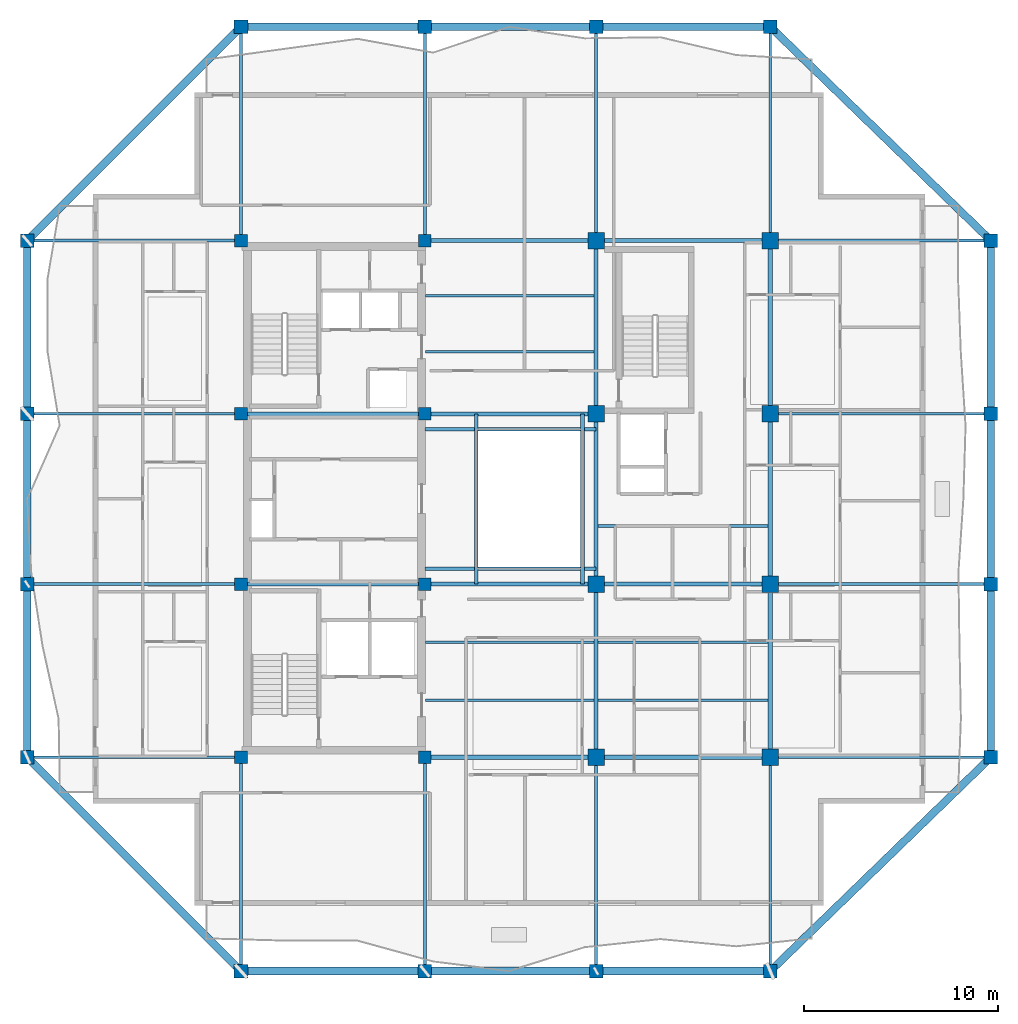
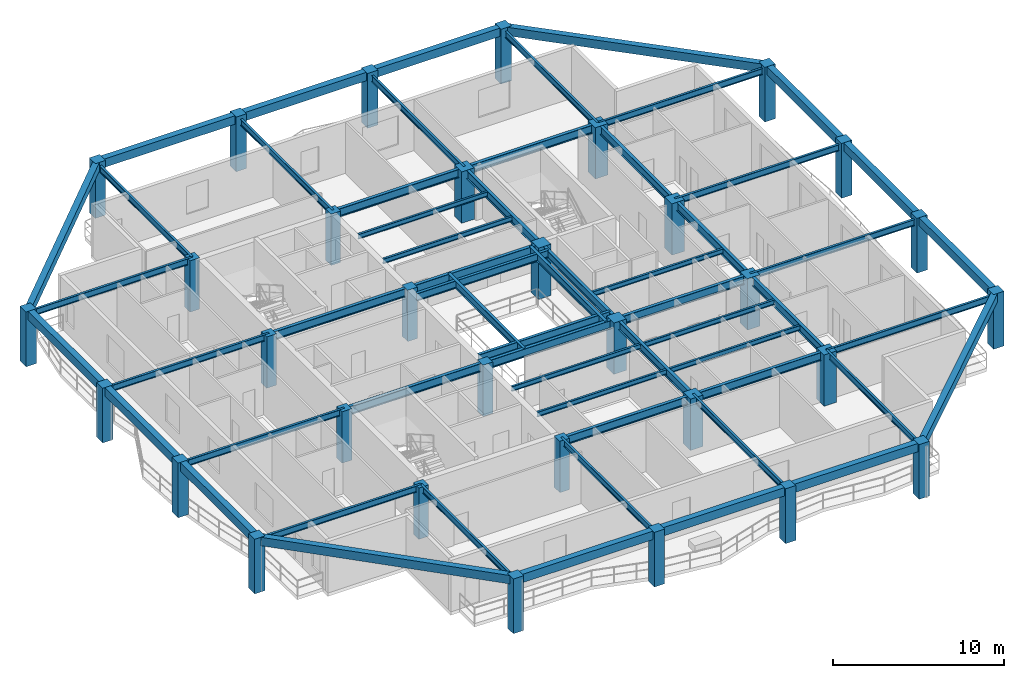
# One storey, part 1 of 13: 58 beams, 32 columns.
"""IFC4 building model written with IfcOpenShell, lengths in metres."""

from ifc_helpers import new_model, si_unit, direction, frame, origin, origin_2d, place, context, subcontext, project, spatial, rectangle, i_section, extrude, material, material_profile, profile_set, type_object, element, save


model = new_model("IFC4")

# Units and contexts
model_context = context("Model", 3, precision=1e-05, world=origin(), true_north=direction((0.0, 1.0)))
body_context = subcontext(model_context, "Body", "Model", "MODEL_VIEW")
ifc_project = project(units=[si_unit("LENGTHUNIT", "METRE"), si_unit("AREAUNIT", "SQUARE_METRE"), si_unit("VOLUMEUNIT", "CUBIC_METRE"), si_unit("PLANEANGLEUNIT", "RADIAN"), si_unit("MASSUNIT", "GRAM", prefix="KILO")], contexts=[model_context])

# Site, building, storey
site_placement = place(None, origin())
site = spatial("IfcSite", under=ifc_project, at=site_placement, CompositionType="ELEMENT")
building_placement = place(site_placement, origin())
building = spatial("IfcBuilding", under=site, at=building_placement, Name="Kundavana Baori Tower", CompositionType="ELEMENT")
storey_placement = place(building_placement, frame((0.0, 0.0, 225.800048828125)))
storey = spatial("IfcBuildingStorey", under=building, at=storey_placement, Name="L55", CompositionType="ELEMENT", Elevation=225.800048828125)

# Columns
ifc_material_1 = material(Name="Concrete C50/60", Category="concrete")
ifc_material_profile_1 = material_profile(ifc_material_1, rectangle(XDim=0.699951171875, YDim=0.699951171875, at=origin_2d()), Name="RC PF 700x700")
ifc_profile_set_1 = profile_set([ifc_material_profile_1], Name="Concrete C50/60")
column_type_1 = type_object("IfcColumnType", Name="COL-PF-700", PredefinedType="COLUMN", material=ifc_profile_set_1)
for number, where, z_axis, x_axis, name in (
    (1, (15.449951171875, 4.199951171875, 0.0), (0.0, 0.0, 1.0), (1.0, 0.0, 0.0), "L55 Stone-Clad Perimeter Frame Column PF-S1"),
    (2, (15.449951171875, 53.0, 0.0), (0.0, 0.0, 1.0), (1.0, 0.0, 0.0), "L55 Stone-Clad Perimeter Frame Column PF-N1"),
    (3, (24.949951171875, 4.199951171875, 0.0), (0.0, 0.0, 1.0), (1.0, 0.0, 0.0), "L55 Stone-Clad Perimeter Frame Column PF-S2"),
    (4, (24.949951171875, 53.0, 0.0), (0.0, 0.0, 1.0), (1.0, 0.0, 0.0), "L55 Stone-Clad Perimeter Frame Column PF-N2"),
    (5, (33.800048828125, 4.199951171875, 0.0), (0.0, 0.0, 1.0), (1.0, 0.0, 0.0), "L55 Stone-Clad Perimeter Frame Column PF-S3"),
    (6, (33.800048828125, 53.0, 0.0), (0.0, 0.0, 1.0), (1.0, 0.0, 0.0), "L55 Stone-Clad Perimeter Frame Column PF-N3"),
    (7, (42.800048828125, 4.199951171875, 0.0), (0.0, 0.0, 1.0), (1.0, 0.0, 0.0), "L55 Stone-Clad Perimeter Frame Column PF-S4"),
    (8, (42.800048828125, 53.0, 0.0), (0.0, 0.0, 1.0), (1.0, 0.0, 0.0), "L55 Stone-Clad Perimeter Frame Column PF-N4"),
    (9, (4.39990234375, 15.25, 0.0), (0.0, 0.0, 1.0), (1.0, 0.0, 0.0), "L55 Stone-Clad Perimeter Frame Column PF-W1"),
    (10, (54.199951171875, 15.25, 0.0), (0.0, 0.0, 1.0), (1.0, 0.0, 0.0), "L55 Stone-Clad Perimeter Frame Column PF-E1"),
    (11, (4.39990234375, 24.199951171875, 0.0), (0.0, 0.0, 1.0), (1.0, 0.0, 0.0), "L55 Stone-Clad Perimeter Frame Column PF-W2"),
    (12, (54.199951171875, 24.199951171875, 0.0), (0.0, 0.0, 1.0), (1.0, 0.0, 0.0), "L55 Stone-Clad Perimeter Frame Column PF-E2"),
    (13, (4.39990234375, 33.0, 0.0), (0.0, 0.0, 1.0), (1.0, 0.0, 0.0), "L55 Stone-Clad Perimeter Frame Column PF-W3"),
    (14, (54.199951171875, 33.0, 0.0), (0.0, 0.0, 1.0), (1.0, 0.0, 0.0), "L55 Stone-Clad Perimeter Frame Column PF-E3"),
    (15, (4.39990234375, 41.949951171875, 0.0), (0.0, 0.0, 1.0), (1.0, 0.0, 0.0), "L55 Stone-Clad Perimeter Frame Column PF-W4"),
    (16, (54.199951171875, 41.949951171875, 0.0), (0.0, 0.0, 1.0), (1.0, 0.0, 0.0), "L55 Stone-Clad Perimeter Frame Column PF-E4"),
):
    element("IfcColumn", number, at=place(storey_placement, frame(where, z_axis=z_axis, x_axis=x_axis)), inside=storey, type_object=column_type_1, Name=name, PredefinedType="COLUMN", context=body_context, shape_type="SweptSolid", body=[
        extrude(rectangle(XDim=0.699951171875, YDim=0.699951171875, at=origin_2d()), origin(), (0.0, 0.0, 1.0), 3.89990234375),
    ])
ifc_material_2 = material(Name="Concrete C50/60", Category="concrete")
ifc_material_profile_2 = material_profile(ifc_material_2, rectangle(XDim=0.64990234375, YDim=0.64990234375, at=origin_2d()), Name="RC 650x650")
ifc_profile_set_2 = profile_set([ifc_material_profile_2], Name="Concrete C50/60")
column_type_2 = type_object("IfcColumnType", Name="COL-RC-650", PredefinedType="COLUMN", material=ifc_profile_set_2)
for number, where, z_axis, x_axis, name in (
    (17, (15.449951171875, 15.25, 0.0), (0.0, 0.0, 1.0), (1.0, 0.0, 0.0), "L55 Interior Column IC-3C"),
    (18, (15.449951171875, 24.199951171875, 0.0), (0.0, 0.0, 1.0), (1.0, 0.0, 0.0), "L55 Interior Column IC-3D"),
    (19, (15.449951171875, 33.0, 0.0), (0.0, 0.0, 1.0), (1.0, 0.0, 0.0), "L55 Interior Column IC-3E"),
    (20, (15.449951171875, 41.949951171875, 0.0), (0.0, 0.0, 1.0), (1.0, 0.0, 0.0), "L55 Interior Column IC-3F"),
    (21, (24.949951171875, 15.25, 0.0), (0.0, 0.0, 1.0), (1.0, 0.0, 0.0), "L55 Interior Column IC-4C"),
    (22, (24.949951171875, 24.199951171875, 0.0), (0.0, 0.0, 1.0), (1.0, 0.0, 0.0), "L55 Interior Column IC-4D"),
    (23, (24.949951171875, 33.0, 0.0), (0.0, 0.0, 1.0), (1.0, 0.0, 0.0), "L55 Interior Column IC-4E"),
    (24, (24.949951171875, 41.949951171875, 0.0), (0.0, 0.0, 1.0), (1.0, 0.0, 0.0), "L55 Interior Column IC-4F"),
):
    element("IfcColumn", number, at=place(storey_placement, frame(where, z_axis=z_axis, x_axis=x_axis)), inside=storey, type_object=column_type_2, Name=name, PredefinedType="COLUMN", context=body_context, shape_type="SweptSolid", body=[
        extrude(rectangle(XDim=0.64990234375, YDim=0.64990234375, at=origin_2d()), origin(), (0.0, 0.0, 1.0), 3.659912109375),
    ])
ifc_material_3 = material(Name="Concrete C50/60", Category="concrete")
ifc_material_profile_3 = material_profile(ifc_material_3, rectangle(XDim=0.85009765625, YDim=0.85009765625, at=origin_2d()), Name="RC 850x850")
ifc_profile_set_3 = profile_set([ifc_material_profile_3], Name="Concrete C50/60")
column_type_3 = type_object("IfcColumnType", Name="COL-RC-850", PredefinedType="COLUMN", material=ifc_profile_set_3)
for number, where, z_axis, x_axis, name in (
    (25, (33.800048828125, 15.25, 0.0), (0.0, 0.0, 1.0), (1.0, 0.0, 0.0), "L55 Interior Column IC-5C"),
    (26, (33.800048828125, 24.199951171875, 0.0), (0.0, 0.0, 1.0), (1.0, 0.0, 0.0), "L55 Interior Column IC-5D"),
    (27, (33.800048828125, 33.0, 0.0), (0.0, 0.0, 1.0), (1.0, 0.0, 0.0), "L55 Interior Column IC-5E"),
    (28, (33.800048828125, 41.949951171875, 0.0), (0.0, 0.0, 1.0), (1.0, 0.0, 0.0), "L55 Interior Column IC-5F"),
    (29, (42.800048828125, 15.25, 0.0), (0.0, 0.0, 1.0), (1.0, 0.0, 0.0), "L55 Interior Column IC-6C"),
    (30, (42.800048828125, 24.199951171875, 0.0), (0.0, 0.0, 1.0), (1.0, 0.0, 0.0), "L55 Interior Column IC-6D"),
    (31, (42.800048828125, 33.0, 0.0), (0.0, 0.0, 1.0), (1.0, 0.0, 0.0), "L55 Interior Column IC-6E"),
    (32, (42.800048828125, 41.949951171875, 0.0), (0.0, 0.0, 1.0), (1.0, 0.0, 0.0), "L55 Interior Column IC-6F"),
):
    element("IfcColumn", number, at=place(storey_placement, frame(where, z_axis=z_axis, x_axis=x_axis)), inside=storey, type_object=column_type_3, Name=name, PredefinedType="COLUMN", context=body_context, shape_type="SweptSolid", body=[
        extrude(rectangle(XDim=0.85009765625, YDim=0.85009765625, at=origin_2d()), origin(), (0.0, 0.0, 1.0), 3.659912109375),
    ])

# Beams
ifc_material_4 = material(Name="Structural Steel S355JR", Category="steel")
ifc_material_profile_4 = material_profile(ifc_material_4, i_section(OverallWidth=0.139892578125, OverallDepth=0.35009765625, WebThickness=0.008056640625, FlangeThickness=0.01416015625, FilletRadius=0.013916015625, at=origin_2d()), Name="ISMB 350")
ifc_profile_set_4 = profile_set([ifc_material_profile_4], Name="Structural Steel S355JR")
beam_type_1 = type_object("IfcBeamType", Name="BM-JST-350", PredefinedType="JOIST", material=ifc_profile_set_4)
for number, where, z_axis, x_axis, name in (
    (33, (24.97998046875, 18.199951171875, 3.48486328125), (1.0, 0.0, 0.0), (0.0, 1.0, 0.0), "L55 Central Bay Composite Floor Joist C1"),
    (34, (24.97998046875, 21.199951171875, 3.48486328125), (1.0, 0.0, 0.0), (0.0, 1.0, 0.0), "L55 Central Bay Composite Floor Joist C2"),
    (35, (24.97998046875, 36.199951171875, 3.48486328125), (1.0, 0.0, 0.0), (0.0, 1.0, 0.0), "L55 Central Bay Composite Floor Joist C3"),
    (36, (24.97998046875, 39.10009765625, 3.48486328125), (1.0, 0.0, 0.0), (0.0, 1.0, 0.0), "L55 Central Bay Composite Floor Joist C4"),
):
    element("IfcBeam", number, at=place(storey_placement, frame(where, z_axis=z_axis, x_axis=x_axis)), inside=storey, type_object=beam_type_1, Name=name, PredefinedType="JOIST", context=body_context, shape_type="SweptSolid", body=[
        extrude(i_section(OverallWidth=0.139892578125, OverallDepth=0.35009765625, WebThickness=0.008056640625, FlangeThickness=0.01416015625, FilletRadius=0.013916015625, at=origin_2d()), origin(), (0.0, 0.0, 1.0), 8.715087890625),
    ])
for number, where, z_axis, x_axis, name in (
    (37, (33.905029296875, 18.199951171875, 3.48486328125), (1.0, 0.0, 0.0), (0.0, 1.0, 0.0), "L55 East Bay Composite Floor Joist E1"),
    (38, (33.905029296875, 21.199951171875, 3.48486328125), (1.0, 0.0, 0.0), (0.0, 1.0, 0.0), "L55 East Bay Composite Floor Joist E2"),
    (39, (33.905029296875, 27.199951171875, 3.48486328125), (1.0, 0.0, 0.0), (0.0, 1.0, 0.0), "L55 East Bay Composite Floor Joist E3"),
):
    element("IfcBeam", number, at=place(storey_placement, frame(where, z_axis=z_axis, x_axis=x_axis)), inside=storey, type_object=beam_type_1, Name=name, PredefinedType="JOIST", context=body_context, shape_type="SweptSolid", body=[
        extrude(i_section(OverallWidth=0.139892578125, OverallDepth=0.35009765625, WebThickness=0.008056640625, FlangeThickness=0.01416015625, FilletRadius=0.013916015625, at=origin_2d()), origin(), (0.0, 0.0, 1.0), 8.7900390625),
    ])
ifc_material_5 = material(Name="Concrete C50/60", Category="concrete")
ifc_material_profile_5 = material_profile(ifc_material_5, rectangle(XDim=0.39990234375, YDim=0.60009765625, at=origin_2d()), Name="RC BM 400x600")
ifc_profile_set_5 = profile_set([ifc_material_profile_5], Name="Concrete C50/60")
beam_type_2 = type_object("IfcBeamType", Name="BM-PF-600", PredefinedType="SPANDREL", material=ifc_profile_set_5)
beam_1_placement = place(storey_placement, frame((15.449951171875, 4.199951171875, 3.599853515625), z_axis=(1.0, 0.0, 0.0), x_axis=(0.0, 1.0, 0.0)))
element("IfcBeam", 40, at=beam_1_placement, inside=storey, type_object=beam_type_2, Name="L55 Perimeter Frame Ring Beam S1", PredefinedType="SPANDREL", context=body_context, shape_type="SweptSolid", body=[
    extrude(rectangle(XDim=0.39990234375, YDim=0.60009765625, at=origin_2d()), origin(), (0.0, 0.0, 1.0), 9.5),
])
beam_2_placement = place(storey_placement, frame((24.949951171875, 4.199951171875, 3.599853515625), z_axis=(1.0, 0.0, 0.0), x_axis=(0.0, 1.0, 0.0)))
element("IfcBeam", 41, at=beam_2_placement, inside=storey, type_object=beam_type_2, Name="L55 Perimeter Frame Ring Beam S2", PredefinedType="SPANDREL", context=body_context, shape_type="SweptSolid", body=[
    extrude(rectangle(XDim=0.39990234375, YDim=0.60009765625, at=origin_2d()), origin(), (0.0, 0.0, 1.0), 8.85009765625),
])
beam_3_placement = place(storey_placement, frame((33.800048828125, 4.199951171875, 3.599853515625), z_axis=(1.0, 0.0, 0.0), x_axis=(0.0, 1.0, 0.0)))
element("IfcBeam", 42, at=beam_3_placement, inside=storey, type_object=beam_type_2, Name="L55 Perimeter Frame Ring Beam S3", PredefinedType="SPANDREL", context=body_context, shape_type="SweptSolid", body=[
    extrude(rectangle(XDim=0.39990234375, YDim=0.60009765625, at=origin_2d()), origin(), (0.0, 0.0, 1.0), 9.0),
])
beam_4_placement = place(storey_placement, frame((15.449951171875, 53.0, 3.599853515625), z_axis=(1.0, 0.0, 0.0), x_axis=(0.0, 1.0, 0.0)))
element("IfcBeam", 43, at=beam_4_placement, inside=storey, type_object=beam_type_2, Name="L55 Perimeter Frame Ring Beam N1", PredefinedType="SPANDREL", context=body_context, shape_type="SweptSolid", body=[
    extrude(rectangle(XDim=0.39990234375, YDim=0.60009765625, at=origin_2d()), origin(), (0.0, 0.0, 1.0), 9.5),
])
beam_5_placement = place(storey_placement, frame((24.949951171875, 53.0, 3.599853515625), z_axis=(1.0, 0.0, 0.0), x_axis=(0.0, 1.0, 0.0)))
element("IfcBeam", 44, at=beam_5_placement, inside=storey, type_object=beam_type_2, Name="L55 Perimeter Frame Ring Beam N2", PredefinedType="SPANDREL", context=body_context, shape_type="SweptSolid", body=[
    extrude(rectangle(XDim=0.39990234375, YDim=0.60009765625, at=origin_2d()), origin(), (0.0, 0.0, 1.0), 8.85009765625),
])
beam_6_placement = place(storey_placement, frame((33.800048828125, 53.0, 3.599853515625), z_axis=(1.0, 0.0, 0.0), x_axis=(0.0, 1.0, 0.0)))
element("IfcBeam", 45, at=beam_6_placement, inside=storey, type_object=beam_type_2, Name="L55 Perimeter Frame Ring Beam N3", PredefinedType="SPANDREL", context=body_context, shape_type="SweptSolid", body=[
    extrude(rectangle(XDim=0.39990234375, YDim=0.60009765625, at=origin_2d()), origin(), (0.0, 0.0, 1.0), 9.0),
])
beam_7_placement = place(storey_placement, frame((4.39990234375, 15.25, 3.599853515625), z_axis=(0.0, 1.0, 0.0), x_axis=(-1.0, 0.0, 0.0)))
element("IfcBeam", 46, at=beam_7_placement, inside=storey, type_object=beam_type_2, Name="L55 Perimeter Frame Ring Beam W1", PredefinedType="SPANDREL", context=body_context, shape_type="SweptSolid", body=[
    extrude(rectangle(XDim=0.39990234375, YDim=0.60009765625, at=origin_2d()), origin(), (0.0, 0.0, 1.0), 8.949951171875),
])
beam_8_placement = place(storey_placement, frame((4.39990234375, 24.199951171875, 3.599853515625), z_axis=(0.0, 1.0, 0.0), x_axis=(-1.0, 0.0, 0.0)))
element("IfcBeam", 47, at=beam_8_placement, inside=storey, type_object=beam_type_2, Name="L55 Perimeter Frame Ring Beam W2", PredefinedType="SPANDREL", context=body_context, shape_type="SweptSolid", body=[
    extrude(rectangle(XDim=0.39990234375, YDim=0.60009765625, at=origin_2d()), origin(), (0.0, 0.0, 1.0), 8.800048828125),
])
for number, where, z_axis, x_axis, name in (
    (48, (4.39990234375, 33.0, 3.599853515625), (0.0, 1.0, 0.0), (-1.0, 0.0, 0.0), "L55 Perimeter Frame Ring Beam W3"),
    (49, (54.199951171875, 15.25, 3.599853515625), (0.0, 1.0, 0.0), (-1.0, 0.0, 0.0), "L55 Perimeter Frame Ring Beam E1"),
):
    element("IfcBeam", number, at=place(storey_placement, frame(where, z_axis=z_axis, x_axis=x_axis)), inside=storey, type_object=beam_type_2, Name=name, PredefinedType="SPANDREL", context=body_context, shape_type="SweptSolid", body=[
        extrude(rectangle(XDim=0.39990234375, YDim=0.60009765625, at=origin_2d()), origin(), (0.0, 0.0, 1.0), 8.949951171875),
    ])
beam_9_placement = place(storey_placement, frame((54.199951171875, 24.199951171875, 3.599853515625), z_axis=(0.0, 1.0, 0.0), x_axis=(-1.0, 0.0, 0.0)))
element("IfcBeam", 50, at=beam_9_placement, inside=storey, type_object=beam_type_2, Name="L55 Perimeter Frame Ring Beam E2", PredefinedType="SPANDREL", context=body_context, shape_type="SweptSolid", body=[
    extrude(rectangle(XDim=0.39990234375, YDim=0.60009765625, at=origin_2d()), origin(), (0.0, 0.0, 1.0), 8.800048828125),
])
beam_10_placement = place(storey_placement, frame((54.199951171875, 33.0, 3.599853515625), z_axis=(0.0, 1.0, 0.0), x_axis=(-1.0, 0.0, 0.0)))
element("IfcBeam", 51, at=beam_10_placement, inside=storey, type_object=beam_type_2, Name="L55 Perimeter Frame Ring Beam E3", PredefinedType="SPANDREL", context=body_context, shape_type="SweptSolid", body=[
    extrude(rectangle(XDim=0.39990234375, YDim=0.60009765625, at=origin_2d()), origin(), (0.0, 0.0, 1.0), 8.949951171875),
])
beam_11_placement = place(storey_placement, frame((15.449951171875, 4.199951171875, 3.599853515625), z_axis=(-0.707106781187, 0.707106781187, 0.0), x_axis=(-0.707106781187, -0.707106781187, 0.0)))
element("IfcBeam", 52, at=beam_11_placement, inside=storey, type_object=beam_type_2, Name="L55 Notched Corner Perimeter Beam SW", PredefinedType="SPANDREL", context=body_context, shape_type="SweptSolid", body=[
    extrude(rectangle(XDim=0.39990234375, YDim=0.60009765625, at=origin_2d()), origin(), (0.0, 0.0, 1.0), 15.627197265625),
])
beam_12_placement = place(storey_placement, frame((42.800048828125, 4.199951171875, 3.599853515625), z_axis=(0.718038944492, 0.696002926857, 0.0), x_axis=(-0.696002926857, 0.718038944492, 0.0)))
element("IfcBeam", 53, at=beam_12_placement, inside=storey, type_object=beam_type_2, Name="L55 Notched Corner Perimeter Beam SE", PredefinedType="SPANDREL", context=body_context, shape_type="SweptSolid", body=[
    extrude(rectangle(XDim=0.39990234375, YDim=0.60009765625, at=origin_2d()), origin(), (0.0, 0.0, 1.0), 15.87646484375),
])
beam_13_placement = place(storey_placement, frame((15.449951171875, 53.0, 3.599853515625), z_axis=(-0.707106781187, -0.707106781187, 0.0), x_axis=(0.707106781187, -0.707106781187, 0.0)))
element("IfcBeam", 54, at=beam_13_placement, inside=storey, type_object=beam_type_2, Name="L55 Notched Corner Perimeter Beam NW", PredefinedType="SPANDREL", context=body_context, shape_type="SweptSolid", body=[
    extrude(rectangle(XDim=0.39990234375, YDim=0.60009765625, at=origin_2d()), origin(), (0.0, 0.0, 1.0), 15.627197265625),
])
beam_14_placement = place(storey_placement, frame((42.800048828125, 53.0, 3.599853515625), z_axis=(0.718038944492, -0.696002926857, 0.0), x_axis=(0.696002926857, 0.718038944492, 0.0)))
element("IfcBeam", 55, at=beam_14_placement, inside=storey, type_object=beam_type_2, Name="L55 Notched Corner Perimeter Beam NE", PredefinedType="SPANDREL", context=body_context, shape_type="SweptSolid", body=[
    extrude(rectangle(XDim=0.39990234375, YDim=0.60009765625, at=origin_2d()), origin(), (0.0, 0.0, 1.0), 15.87646484375),
])
ifc_material_6 = material(Name="Structural Steel S355JR", Category="steel")
ifc_material_profile_6 = material_profile(ifc_material_6, i_section(OverallWidth=0.18994140625, OverallDepth=0.550048828125, WebThickness=0.01123046875, FlangeThickness=0.019287109375, FilletRadius=0.01806640625, at=origin_2d()), Name="ISMB 550")
ifc_profile_set_6 = profile_set([ifc_material_profile_6], Name="Structural Steel S355JR")
beam_type_3 = type_object("IfcBeamType", Name="BM-ST-550", PredefinedType="BEAM", material=ifc_profile_set_6)
for number, where, z_axis, x_axis, name in (
    (56, (27.60009765625, 24.199951171875, 3.385009765625), (0.0, 1.0, 0.0), (-1.0, 0.0, 0.0), "L55 Atrium West Edge Beam"),
    (57, (33.10009765625, 24.199951171875, 3.385009765625), (0.0, 1.0, 0.0), (-1.0, 0.0, 0.0), "L55 Atrium East Edge Beam"),
):
    element("IfcBeam", number, at=place(storey_placement, frame(where, z_axis=z_axis, x_axis=x_axis)), inside=storey, type_object=beam_type_3, Name=name, PredefinedType="BEAM", context=body_context, shape_type="SweptSolid", body=[
        extrude(i_section(OverallWidth=0.18994140625, OverallDepth=0.550048828125, WebThickness=0.01123046875, FlangeThickness=0.019287109375, FilletRadius=0.01806640625, at=origin_2d()), origin(), (0.0, 0.0, 1.0), 8.800048828125),
    ])
for number, where, z_axis, x_axis, name in (
    (58, (24.949951171875, 25.0, 3.385009765625), (1.0, 0.0, 0.0), (0.0, 1.0, 0.0), "L55 Atrium South Edge Beam"),
    (59, (24.949951171875, 32.199951171875, 3.385009765625), (1.0, 0.0, 0.0), (0.0, 1.0, 0.0), "L55 Atrium North Edge Beam"),
):
    element("IfcBeam", number, at=place(storey_placement, frame(where, z_axis=z_axis, x_axis=x_axis)), inside=storey, type_object=beam_type_3, Name=name, PredefinedType="BEAM", context=body_context, shape_type="SweptSolid", body=[
        extrude(i_section(OverallWidth=0.18994140625, OverallDepth=0.550048828125, WebThickness=0.01123046875, FlangeThickness=0.019287109375, FilletRadius=0.01806640625, at=origin_2d()), origin(), (0.0, 0.0, 1.0), 8.85009765625),
    ])
ifc_material_7 = material(Name="Structural Steel S355JR", Category="steel")
ifc_material_profile_7 = material_profile(ifc_material_7, i_section(OverallWidth=0.2099609375, OverallDepth=0.60009765625, WebThickness=0.011962890625, FlangeThickness=0.020751953125, FilletRadius=0.02001953125, at=origin_2d()), Name="ISMB 600")
ifc_profile_set_7 = profile_set([ifc_material_profile_7], Name="Structural Steel S355JR")
beam_type_4 = type_object("IfcBeamType", Name="BM-ST-600", PredefinedType="BEAM", material=ifc_profile_set_7)
beam_15_placement = place(storey_placement, frame((24.949951171875, 15.25, 3.35986328125), z_axis=(1.0, 0.0, 0.0), x_axis=(0.0, 1.0, 0.0)))
element("IfcBeam", 60, at=beam_15_placement, inside=storey, type_object=beam_type_4, Name="L55 Primary Grid Girder GX-1-2", PredefinedType="BEAM", context=body_context, shape_type="SweptSolid", body=[
    extrude(i_section(OverallWidth=0.2099609375, OverallDepth=0.60009765625, WebThickness=0.011962890625, FlangeThickness=0.020751953125, FilletRadius=0.02001953125, at=origin_2d()), origin(), (0.0, 0.0, 1.0), 8.85009765625),
])
beam_16_placement = place(storey_placement, frame((33.800048828125, 15.25, 3.35986328125), z_axis=(1.0, 0.0, 0.0), x_axis=(0.0, 1.0, 0.0)))
element("IfcBeam", 61, at=beam_16_placement, inside=storey, type_object=beam_type_4, Name="L55 Primary Grid Girder GX-1-3", PredefinedType="BEAM", context=body_context, shape_type="SweptSolid", body=[
    extrude(i_section(OverallWidth=0.2099609375, OverallDepth=0.60009765625, WebThickness=0.011962890625, FlangeThickness=0.020751953125, FilletRadius=0.02001953125, at=origin_2d()), origin(), (0.0, 0.0, 1.0), 9.0),
])
beam_17_placement = place(storey_placement, frame((15.449951171875, 24.199951171875, 3.35986328125), z_axis=(1.0, 0.0, 0.0), x_axis=(0.0, 1.0, 0.0)))
element("IfcBeam", 62, at=beam_17_placement, inside=storey, type_object=beam_type_4, Name="L55 Primary Grid Girder GX-2-1", PredefinedType="BEAM", context=body_context, shape_type="SweptSolid", body=[
    extrude(i_section(OverallWidth=0.2099609375, OverallDepth=0.60009765625, WebThickness=0.011962890625, FlangeThickness=0.020751953125, FilletRadius=0.02001953125, at=origin_2d()), origin(), (0.0, 0.0, 1.0), 9.5),
])
beam_18_placement = place(storey_placement, frame((24.949951171875, 24.199951171875, 3.35986328125), z_axis=(1.0, 0.0, 0.0), x_axis=(0.0, 1.0, 0.0)))
element("IfcBeam", 63, at=beam_18_placement, inside=storey, type_object=beam_type_4, Name="L55 Primary Grid Girder GX-2-2", PredefinedType="BEAM", context=body_context, shape_type="SweptSolid", body=[
    extrude(i_section(OverallWidth=0.2099609375, OverallDepth=0.60009765625, WebThickness=0.011962890625, FlangeThickness=0.020751953125, FilletRadius=0.02001953125, at=origin_2d()), origin(), (0.0, 0.0, 1.0), 8.85009765625),
])
beam_19_placement = place(storey_placement, frame((33.800048828125, 24.199951171875, 3.35986328125), z_axis=(1.0, 0.0, 0.0), x_axis=(0.0, 1.0, 0.0)))
element("IfcBeam", 64, at=beam_19_placement, inside=storey, type_object=beam_type_4, Name="L55 Primary Grid Girder GX-2-3", PredefinedType="BEAM", context=body_context, shape_type="SweptSolid", body=[
    extrude(i_section(OverallWidth=0.2099609375, OverallDepth=0.60009765625, WebThickness=0.011962890625, FlangeThickness=0.020751953125, FilletRadius=0.02001953125, at=origin_2d()), origin(), (0.0, 0.0, 1.0), 9.0),
])
beam_20_placement = place(storey_placement, frame((15.449951171875, 33.0, 3.35986328125), z_axis=(1.0, 0.0, 0.0), x_axis=(0.0, 1.0, 0.0)))
element("IfcBeam", 65, at=beam_20_placement, inside=storey, type_object=beam_type_4, Name="L55 Primary Grid Girder GX-3-1", PredefinedType="BEAM", context=body_context, shape_type="SweptSolid", body=[
    extrude(i_section(OverallWidth=0.2099609375, OverallDepth=0.60009765625, WebThickness=0.011962890625, FlangeThickness=0.020751953125, FilletRadius=0.02001953125, at=origin_2d()), origin(), (0.0, 0.0, 1.0), 9.5),
])
for number, where, z_axis, x_axis, name in (
    (66, (24.949951171875, 33.0, 3.35986328125), (1.0, 0.0, 0.0), (0.0, 1.0, 0.0), "L55 Primary Grid Girder GX-3-2"),
    (67, (24.949951171875, 41.949951171875, 3.35986328125), (1.0, 0.0, 0.0), (0.0, 1.0, 0.0), "L55 Primary Grid Girder GX-4-2"),
):
    element("IfcBeam", number, at=place(storey_placement, frame(where, z_axis=z_axis, x_axis=x_axis)), inside=storey, type_object=beam_type_4, Name=name, PredefinedType="BEAM", context=body_context, shape_type="SweptSolid", body=[
        extrude(i_section(OverallWidth=0.2099609375, OverallDepth=0.60009765625, WebThickness=0.011962890625, FlangeThickness=0.020751953125, FilletRadius=0.02001953125, at=origin_2d()), origin(), (0.0, 0.0, 1.0), 8.85009765625),
    ])
beam_21_placement = place(storey_placement, frame((33.800048828125, 41.949951171875, 3.35986328125), z_axis=(1.0, 0.0, 0.0), x_axis=(0.0, 1.0, 0.0)))
element("IfcBeam", 68, at=beam_21_placement, inside=storey, type_object=beam_type_4, Name="L55 Primary Grid Girder GX-4-3", PredefinedType="BEAM", context=body_context, shape_type="SweptSolid", body=[
    extrude(i_section(OverallWidth=0.2099609375, OverallDepth=0.60009765625, WebThickness=0.011962890625, FlangeThickness=0.020751953125, FilletRadius=0.02001953125, at=origin_2d()), origin(), (0.0, 0.0, 1.0), 9.0),
])
beam_22_placement = place(storey_placement, frame((33.800048828125, 15.25, 3.35986328125), z_axis=(0.0, 1.0, 0.0), x_axis=(-1.0, 0.0, 0.0)))
element("IfcBeam", 69, at=beam_22_placement, inside=storey, type_object=beam_type_4, Name="L55 Primary Grid Girder GY-3-1", PredefinedType="BEAM", context=body_context, shape_type="SweptSolid", body=[
    extrude(i_section(OverallWidth=0.2099609375, OverallDepth=0.60009765625, WebThickness=0.011962890625, FlangeThickness=0.020751953125, FilletRadius=0.02001953125, at=origin_2d()), origin(), (0.0, 0.0, 1.0), 8.949951171875),
])
beam_23_placement = place(storey_placement, frame((33.800048828125, 24.199951171875, 3.35986328125), z_axis=(0.0, 1.0, 0.0), x_axis=(-1.0, 0.0, 0.0)))
element("IfcBeam", 70, at=beam_23_placement, inside=storey, type_object=beam_type_4, Name="L55 Primary Grid Girder GY-3-2", PredefinedType="BEAM", context=body_context, shape_type="SweptSolid", body=[
    extrude(i_section(OverallWidth=0.2099609375, OverallDepth=0.60009765625, WebThickness=0.011962890625, FlangeThickness=0.020751953125, FilletRadius=0.02001953125, at=origin_2d()), origin(), (0.0, 0.0, 1.0), 8.800048828125),
])
for number, where, z_axis, x_axis, name in (
    (71, (33.800048828125, 33.0, 3.35986328125), (0.0, 1.0, 0.0), (-1.0, 0.0, 0.0), "L55 Primary Grid Girder GY-3-3"),
    (72, (42.800048828125, 15.25, 3.35986328125), (0.0, 1.0, 0.0), (-1.0, 0.0, 0.0), "L55 Primary Grid Girder GY-4-1"),
):
    element("IfcBeam", number, at=place(storey_placement, frame(where, z_axis=z_axis, x_axis=x_axis)), inside=storey, type_object=beam_type_4, Name=name, PredefinedType="BEAM", context=body_context, shape_type="SweptSolid", body=[
        extrude(i_section(OverallWidth=0.2099609375, OverallDepth=0.60009765625, WebThickness=0.011962890625, FlangeThickness=0.020751953125, FilletRadius=0.02001953125, at=origin_2d()), origin(), (0.0, 0.0, 1.0), 8.949951171875),
    ])
beam_24_placement = place(storey_placement, frame((42.800048828125, 24.199951171875, 3.35986328125), z_axis=(0.0, 1.0, 0.0), x_axis=(-1.0, 0.0, 0.0)))
element("IfcBeam", 73, at=beam_24_placement, inside=storey, type_object=beam_type_4, Name="L55 Primary Grid Girder GY-4-2", PredefinedType="BEAM", context=body_context, shape_type="SweptSolid", body=[
    extrude(i_section(OverallWidth=0.2099609375, OverallDepth=0.60009765625, WebThickness=0.011962890625, FlangeThickness=0.020751953125, FilletRadius=0.02001953125, at=origin_2d()), origin(), (0.0, 0.0, 1.0), 8.800048828125),
])
beam_25_placement = place(storey_placement, frame((42.800048828125, 33.0, 3.35986328125), z_axis=(0.0, 1.0, 0.0), x_axis=(-1.0, 0.0, 0.0)))
element("IfcBeam", 74, at=beam_25_placement, inside=storey, type_object=beam_type_4, Name="L55 Primary Grid Girder GY-4-3", PredefinedType="BEAM", context=body_context, shape_type="SweptSolid", body=[
    extrude(i_section(OverallWidth=0.2099609375, OverallDepth=0.60009765625, WebThickness=0.011962890625, FlangeThickness=0.020751953125, FilletRadius=0.02001953125, at=origin_2d()), origin(), (0.0, 0.0, 1.0), 8.949951171875),
])
ifc_material_8 = material(Name="Structural Steel S355JR", Category="steel")
ifc_material_profile_8 = material_profile(ifc_material_8, i_section(OverallWidth=0.14990234375, OverallDepth=0.449951171875, WebThickness=0.009521484375, FlangeThickness=0.017333984375, FilletRadius=0.014892578125, at=origin_2d()), Name="ISMB 450")
ifc_profile_set_8 = profile_set([ifc_material_profile_8], Name="Structural Steel S355JR")
beam_type_5 = type_object("IfcBeamType", Name="BM-TIE-450", PredefinedType="BEAM", material=ifc_profile_set_8)
for number, where, z_axis, x_axis, name in (
    (75, (15.449951171875, 15.25, 3.43505859375), (0.0, -1.0, 0.0), (1.0, 0.0, 0.0), "L55 South Radial Loggia Tie Beam S1"),
    (76, (15.449951171875, 41.949951171875, 3.43505859375), (0.0, 1.0, 0.0), (-1.0, 0.0, 0.0), "L55 North Radial Loggia Tie Beam N1"),
    (77, (24.949951171875, 15.25, 3.43505859375), (0.0, -1.0, 0.0), (1.0, 0.0, 0.0), "L55 South Radial Loggia Tie Beam S2"),
    (78, (24.949951171875, 41.949951171875, 3.43505859375), (0.0, 1.0, 0.0), (-1.0, 0.0, 0.0), "L55 North Radial Loggia Tie Beam N2"),
    (79, (33.800048828125, 15.25, 3.43505859375), (0.0, -1.0, 0.0), (1.0, 0.0, 0.0), "L55 South Radial Loggia Tie Beam S3"),
    (80, (33.800048828125, 41.949951171875, 3.43505859375), (0.0, 1.0, 0.0), (-1.0, 0.0, 0.0), "L55 North Radial Loggia Tie Beam N3"),
    (81, (42.800048828125, 15.25, 3.43505859375), (0.0, -1.0, 0.0), (1.0, 0.0, 0.0), "L55 South Radial Loggia Tie Beam S4"),
    (82, (42.800048828125, 41.949951171875, 3.43505859375), (0.0, 1.0, 0.0), (-1.0, 0.0, 0.0), "L55 North Radial Loggia Tie Beam N4"),
    (83, (15.449951171875, 15.25, 3.43505859375), (-1.0, 0.0, 0.0), (0.0, -1.0, 0.0), "L55 West Radial Loggia Tie Beam W1"),
):
    element("IfcBeam", number, at=place(storey_placement, frame(where, z_axis=z_axis, x_axis=x_axis)), inside=storey, type_object=beam_type_5, Name=name, PredefinedType="BEAM", context=body_context, shape_type="SweptSolid", body=[
        extrude(i_section(OverallWidth=0.14990234375, OverallDepth=0.449951171875, WebThickness=0.009521484375, FlangeThickness=0.017333984375, FilletRadius=0.014892578125, at=origin_2d()), origin(), (0.0, 0.0, 1.0), 11.050048828125),
    ])
beam_26_placement = place(storey_placement, frame((42.800048828125, 15.25, 3.43505859375), z_axis=(1.0, 0.0, 0.0), x_axis=(0.0, 1.0, 0.0)))
element("IfcBeam", 84, at=beam_26_placement, inside=storey, type_object=beam_type_5, Name="L55 East Radial Loggia Tie Beam E1", PredefinedType="BEAM", context=body_context, shape_type="SweptSolid", body=[
    extrude(i_section(OverallWidth=0.14990234375, OverallDepth=0.449951171875, WebThickness=0.009521484375, FlangeThickness=0.017333984375, FilletRadius=0.014892578125, at=origin_2d()), origin(), (0.0, 0.0, 1.0), 11.39990234375),
])
beam_27_placement = place(storey_placement, frame((15.449951171875, 24.199951171875, 3.43505859375), z_axis=(-1.0, 0.0, 0.0), x_axis=(0.0, -1.0, 0.0)))
element("IfcBeam", 85, at=beam_27_placement, inside=storey, type_object=beam_type_5, Name="L55 West Radial Loggia Tie Beam W2", PredefinedType="BEAM", context=body_context, shape_type="SweptSolid", body=[
    extrude(i_section(OverallWidth=0.14990234375, OverallDepth=0.449951171875, WebThickness=0.009521484375, FlangeThickness=0.017333984375, FilletRadius=0.014892578125, at=origin_2d()), origin(), (0.0, 0.0, 1.0), 11.050048828125),
])
beam_28_placement = place(storey_placement, frame((42.800048828125, 24.199951171875, 3.43505859375), z_axis=(1.0, 0.0, 0.0), x_axis=(0.0, 1.0, 0.0)))
element("IfcBeam", 86, at=beam_28_placement, inside=storey, type_object=beam_type_5, Name="L55 East Radial Loggia Tie Beam E2", PredefinedType="BEAM", context=body_context, shape_type="SweptSolid", body=[
    extrude(i_section(OverallWidth=0.14990234375, OverallDepth=0.449951171875, WebThickness=0.009521484375, FlangeThickness=0.017333984375, FilletRadius=0.014892578125, at=origin_2d()), origin(), (0.0, 0.0, 1.0), 11.39990234375),
])
beam_29_placement = place(storey_placement, frame((15.449951171875, 33.0, 3.43505859375), z_axis=(-1.0, 0.0, 0.0), x_axis=(0.0, -1.0, 0.0)))
element("IfcBeam", 87, at=beam_29_placement, inside=storey, type_object=beam_type_5, Name="L55 West Radial Loggia Tie Beam W3", PredefinedType="BEAM", context=body_context, shape_type="SweptSolid", body=[
    extrude(i_section(OverallWidth=0.14990234375, OverallDepth=0.449951171875, WebThickness=0.009521484375, FlangeThickness=0.017333984375, FilletRadius=0.014892578125, at=origin_2d()), origin(), (0.0, 0.0, 1.0), 11.050048828125),
])
beam_30_placement = place(storey_placement, frame((42.800048828125, 33.0, 3.43505859375), z_axis=(1.0, 0.0, 0.0), x_axis=(0.0, 1.0, 0.0)))
element("IfcBeam", 88, at=beam_30_placement, inside=storey, type_object=beam_type_5, Name="L55 East Radial Loggia Tie Beam E3", PredefinedType="BEAM", context=body_context, shape_type="SweptSolid", body=[
    extrude(i_section(OverallWidth=0.14990234375, OverallDepth=0.449951171875, WebThickness=0.009521484375, FlangeThickness=0.017333984375, FilletRadius=0.014892578125, at=origin_2d()), origin(), (0.0, 0.0, 1.0), 11.39990234375),
])
beam_31_placement = place(storey_placement, frame((15.449951171875, 41.949951171875, 3.43505859375), z_axis=(-1.0, 0.0, 0.0), x_axis=(0.0, -1.0, 0.0)))
element("IfcBeam", 89, at=beam_31_placement, inside=storey, type_object=beam_type_5, Name="L55 West Radial Loggia Tie Beam W4", PredefinedType="BEAM", context=body_context, shape_type="SweptSolid", body=[
    extrude(i_section(OverallWidth=0.14990234375, OverallDepth=0.449951171875, WebThickness=0.009521484375, FlangeThickness=0.017333984375, FilletRadius=0.014892578125, at=origin_2d()), origin(), (0.0, 0.0, 1.0), 11.050048828125),
])
beam_32_placement = place(storey_placement, frame((42.800048828125, 41.949951171875, 3.43505859375), z_axis=(1.0, 0.0, 0.0), x_axis=(0.0, 1.0, 0.0)))
element("IfcBeam", 90, at=beam_32_placement, inside=storey, type_object=beam_type_5, Name="L55 East Radial Loggia Tie Beam E4", PredefinedType="BEAM", context=body_context, shape_type="SweptSolid", body=[
    extrude(i_section(OverallWidth=0.14990234375, OverallDepth=0.449951171875, WebThickness=0.009521484375, FlangeThickness=0.017333984375, FilletRadius=0.014892578125, at=origin_2d()), origin(), (0.0, 0.0, 1.0), 11.39990234375),
])

save(model, "model.ifc")
